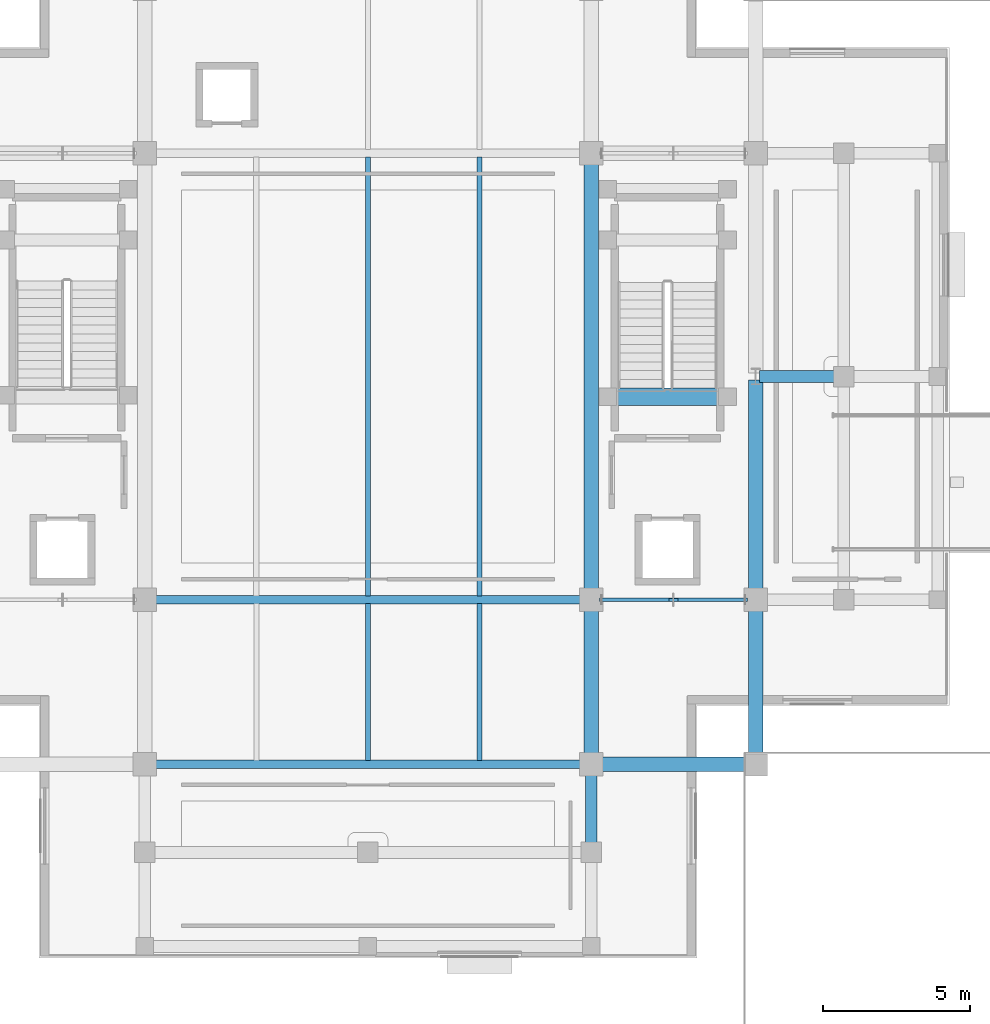
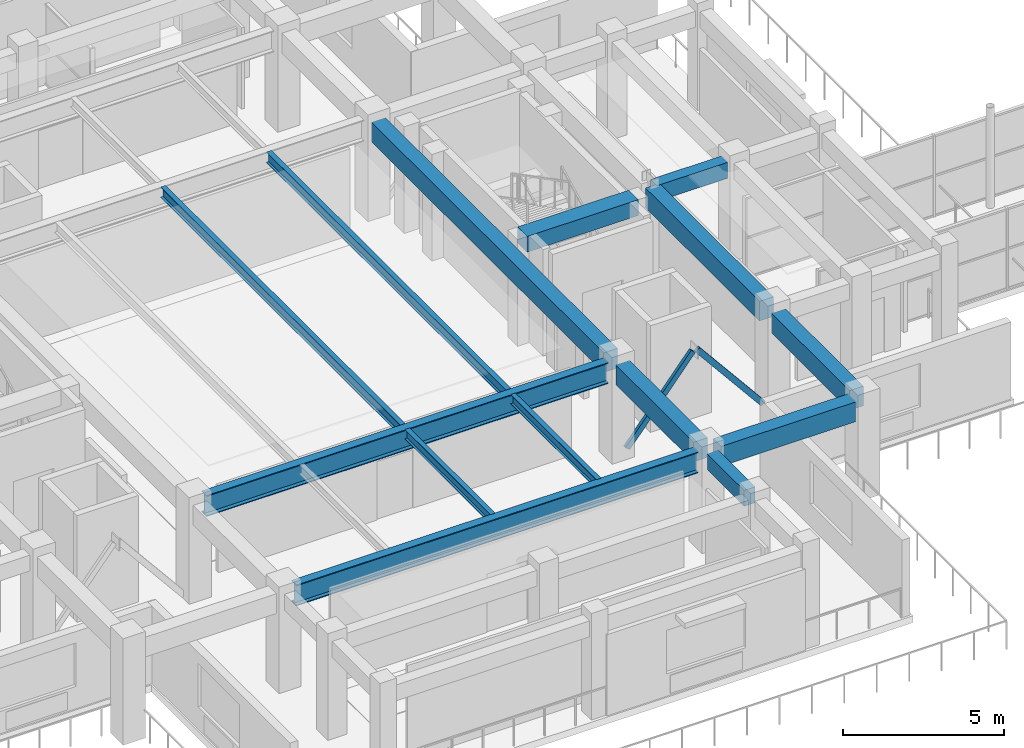
# One storey, part 21 of 72: 14 beams, 2 members.
"""IFC4 building model written with IfcOpenShell, lengths in metres."""

import ifcopenshell
import ifcopenshell.guid

model = None  # the IFC model being written
_history = None  # IfcOwnerHistory: only IFC2X3 demands one
_inside = {}  # id of a spatial element -> (the spatial element, [elements in it])
_under = {}  # id of a project, library or spatial element -> (it, [spatial elements below it])
_declared = {}  # id of a project -> (the project, [libraries it declares])
_typed = {}  # id of a type object -> (the type object, [elements of that type])
_made_of = {}  # id of a material, layer set ... -> (it, [elements and type objects made of it])


def new_model(schema):
    """Start an empty IFC model of exactly this schema.

    Asked for "IFC4X3", IfcOpenShell would pick the latest addendum, in which some entities
    have other attributes; the version numbers below select the first issue.
    IFC2X3 requires an IfcOwnerHistory on every rooted entity: one is made here for all.
    """
    global model, _history
    if schema == "IFC4X3":
        model = ifcopenshell.file(schema_version=(4, 3, 0, 0))
    else:
        model = ifcopenshell.file(schema=schema)
    _inside.clear()
    _under.clear()
    _declared.clear()
    _typed.clear()
    _made_of.clear()
    _history = None
    if model.schema == "IFC2X3":
        org = make("IfcOrganization", Name="unknown")
        user = make(
            "IfcPersonAndOrganization",
            ThePerson=make("IfcPerson", FamilyName="unknown"),
            TheOrganization=org,
        )
        app = make(
            "IfcApplication",
            ApplicationDeveloper=org,
            Version="unknown",
            ApplicationFullName="unknown",
            ApplicationIdentifier="unknown",
        )
        _history = make(
            "IfcOwnerHistory",
            OwningUser=user,
            OwningApplication=app,
            ChangeAction="ADDED",
            CreationDate=0,
        )
    return model


def make(cls, **values):
    """One entity of the class cls with the attributes given. An attribute that is None is left unset."""
    return model.create_entity(
        cls, **{name: value for name, value in values.items() if value is not None}
    )


def rooted(cls, **values):
    """An entity with a GlobalId (a new one), such as an element, a storey or a relation."""
    return make(cls, GlobalId=ifcopenshell.guid.new(), OwnerHistory=_history, **values)


def si_unit(unit_type, name, prefix=None):
    """IfcSIUnit, for example si_unit("LENGTHUNIT", "METRE", prefix="MILLI")."""
    return make("IfcSIUnit", UnitType=unit_type, Prefix=prefix, Name=name)


def assignment(units):
    """IfcUnitAssignment: the units of a project."""
    return None if units is None else make("IfcUnitAssignment", Units=units)


def point(xyz):
    """IfcCartesianPoint."""
    return None if xyz is None else make("IfcCartesianPoint", Coordinates=xyz)


def direction(xyz):
    """IfcDirection."""
    return None if xyz is None else make("IfcDirection", DirectionRatios=xyz)


def frame(location, z_axis=None, x_axis=None):
    """IfcAxis2Placement3D, a coordinate frame: its origin and axes. An axis left out is left unset."""
    return make(
        "IfcAxis2Placement3D",
        Location=point(location),
        Axis=direction(z_axis),
        RefDirection=direction(x_axis),
    )


def frame_2d(location, x_axis=None):
    """IfcAxis2Placement2D, a coordinate frame in the plane: its origin and x axis."""
    return make(
        "IfcAxis2Placement2D", Location=point(location), RefDirection=direction(x_axis)
    )


def origin():
    """The frame at (0, 0, 0) with its axes left unset."""
    return frame((0.0, 0.0, 0.0))


def origin_2d():
    """The frame at (0, 0) in the plane with its x axis left unset."""
    return frame_2d((0.0, 0.0))


def place(relative_to, where):
    """IfcLocalPlacement: puts the frame where relative to a parent placement (None: the world)."""
    return make(
        "IfcLocalPlacement", PlacementRelTo=relative_to, RelativePlacement=where
    )


def context(
    kind, dimensions, precision=None, world=None, true_north=None, identifier=None
):
    """IfcGeometricRepresentationContext, for example the 3D "Model" context."""
    return make(
        "IfcGeometricRepresentationContext",
        ContextIdentifier=identifier,
        ContextType=kind,
        CoordinateSpaceDimension=dimensions,
        Precision=precision,
        WorldCoordinateSystem=world,
        TrueNorth=true_north,
    )


def subcontext(parent, identifier, kind, view, scale=None):
    """IfcGeometricRepresentationSubContext, for example "Body" below "Model"."""
    return make(
        "IfcGeometricRepresentationSubContext",
        ContextIdentifier=identifier,
        ContextType=kind,
        ParentContext=parent,
        TargetScale=scale,
        TargetView=view,
    )


def project(units=None, contexts=None):
    """IfcProject with its units and contexts."""
    return rooted(
        "IfcProject",
        Name="project",
        RepresentationContexts=contexts,
        UnitsInContext=assignment(units),
    )


def spatial(cls, under=None, at=None, **own):
    """A site, building, storey or space (cls), placed at a placement, below another one or the project."""
    s = rooted(cls, ObjectPlacement=at, **own)
    if under is not None:
        _under.setdefault(under.id(), (under, []))[1].append(s)
    return s


def profile(cls, at=None, kind="AREA", **sizes):
    """A parametric profile (cls). Its sizes go by their IFC names, for example OverallWidth=200.0."""
    return make(cls, ProfileType=kind, Position=at, **sizes)


def rectangle(**sizes):
    """IfcRectangleProfileDef."""
    return profile("IfcRectangleProfileDef", **sizes)


def hollow_rectangle(**sizes):
    """IfcRectangleHollowProfileDef."""
    return profile("IfcRectangleHollowProfileDef", **sizes)


def i_section(**sizes):
    """IfcIShapeProfileDef."""
    return profile("IfcIShapeProfileDef", **sizes)


def extrude(swept, where, along, depth):
    """IfcExtrudedAreaSolid: the profile swept, set in the frame where, extruded along a direction by depth."""
    return make(
        "IfcExtrudedAreaSolid",
        SweptArea=swept,
        Position=where,
        ExtrudedDirection=direction(along),
        Depth=depth,
    )


def shape(context_of_items, identifier, shape_type, items):
    """IfcShapeRepresentation: the items that make up one representation, for example the "Body"."""
    return make(
        "IfcShapeRepresentation",
        ContextOfItems=context_of_items,
        RepresentationIdentifier=identifier,
        RepresentationType=shape_type,
        Items=items,
    )


def material(Name=None, Category=None):
    """IfcMaterial."""
    return make("IfcMaterial", Name=Name, Category=Category)


def material_profile(
    of_material, cross_section, Name=None, Category=None, Priority=None
):
    """IfcMaterialProfile: a cross section and its material."""
    return make(
        "IfcMaterialProfile",
        Name=Name,
        Material=of_material,
        Profile=cross_section,
        Priority=Priority,
        Category=Category,
    )


def profile_set(profiles, Name=None, composite=None):
    """IfcMaterialProfileSet."""
    return make(
        "IfcMaterialProfileSet",
        Name=Name,
        MaterialProfiles=profiles,
        CompositeProfile=composite,
    )


def made_of(thing, what):
    """Note that an element or type object is made of a material, layer set ...; save() writes the relation."""
    if what is not None:
        _made_of.setdefault(what.id(), (what, []))[1].append(thing)
    return thing


def type_object(cls, material=None, **own):
    """A type object (cls), such as IfcWallType, which elements share."""
    return made_of(rooted(cls, **own), material)


def element(
    cls,
    number,
    at=None,
    inside=None,
    cuts=None,
    type_object=None,
    material=None,
    context=None,
    identifier="Body",
    shape_type=None,
    held_by="IfcProductDefinitionShape",
    body=None,
    shapes=None,
    **own,
):
    """One element of the class cls, such as IfcWall. Its Tag is "e" and its number.

    at: its placement. inside: the storey or other place that contains it. cuts: it is an
    opening in that element (IfcRelVoidsElement). A single representation is given by context,
    identifier, shape_type and body (its items); several are given by shapes. held_by: the class
    of the entity that holds the representations. save() writes the other relations.
    """
    e = rooted(cls, Tag="e%d" % number, ObjectPlacement=at, **own)
    if body is not None:
        shapes = [shape(context, identifier, shape_type, body)]
    if shapes is not None:
        e.Representation = make(held_by, Representations=shapes)
    if inside is not None:
        _inside.setdefault(inside.id(), (inside, []))[1].append(e)
    if cuts is not None:
        rooted(
            "IfcRelVoidsElement", RelatingBuildingElement=cuts, RelatedOpeningElement=e
        )
    if type_object is not None:
        _typed.setdefault(type_object.id(), (type_object, []))[1].append(e)
    return made_of(e, material)


def aggregate(whole, parts):
    """IfcRelAggregates: a whole, such as a stair, and the parts it consists of."""
    return rooted("IfcRelAggregates", RelatingObject=whole, RelatedObjects=parts)


def save(model, path):
    """Write the relations noted so far, then the file.

    IfcRelAggregates (storeys below a building ...), IfcRelContainedInSpatialStructure (elements
    in a storey), IfcRelDefinesByType, IfcRelAssociatesMaterial and IfcRelDeclares: one each for
    every whole, place, type object, material and project.
    """
    for whole, parts in _under.values():
        aggregate(whole, parts)
    for where, things in _inside.values():
        rooted(
            "IfcRelContainedInSpatialStructure",
            RelatedElements=things,
            RelatingStructure=where,
        )
    for kind, things in _typed.values():
        rooted("IfcRelDefinesByType", RelatedObjects=things, RelatingType=kind)
    for what, things in _made_of.values():
        rooted("IfcRelAssociatesMaterial", RelatedObjects=things, RelatingMaterial=what)
    for by, libraries in _declared.values():
        rooted("IfcRelDeclares", RelatingContext=by, RelatedDefinitions=libraries)
    model.write(path)


model = new_model("IFC4")

# Units and contexts
model_context = context("Model", 3, precision=1e-05, world=origin(), true_north=direction((0.0, 1.0)))
body_context = subcontext(model_context, "Body", "Model", "MODEL_VIEW")
ifc_project = project(units=[si_unit("LENGTHUNIT", "METRE"), si_unit("AREAUNIT", "SQUARE_METRE"), si_unit("VOLUMEUNIT", "CUBIC_METRE"), si_unit("PLANEANGLEUNIT", "RADIAN"), si_unit("MASSUNIT", "GRAM", prefix="KILO")], contexts=[model_context])

# Site, building, storey
site_placement = place(None, origin())
site = spatial("IfcSite", under=ifc_project, at=site_placement, CompositionType="ELEMENT")
building_placement = place(site_placement, origin())
building = spatial("IfcBuilding", under=site, at=building_placement, Name="Saryqyr Civic Hall", CompositionType="ELEMENT")
storey_placement = place(building_placement, frame((0.0, 0.0, 17.25)))
storey = spatial("IfcBuildingStorey", under=building, at=storey_placement, Name="L04", CompositionType="ELEMENT", Elevation=17.25)

# Beams
ifc_material_1 = material(Name="Steel S355", Category="steel")
ifc_material_profile_1 = material_profile(ifc_material_1, i_section(OverallWidth=0.300048828125, OverallDepth=0.800048828125, WebThickness=0.017578125, FlangeThickness=0.032958984375, at=origin_2d()), Name="HEB 800")
ifc_profile_set_1 = profile_set([ifc_material_profile_1], Name="Steel S355")
beam_type_1 = type_object("IfcBeamType", Name="STR-BM-HEB800", PredefinedType="BEAM", material=ifc_profile_set_1)
for number, where, z_axis, x_axis, name in (
    (1, (49.77490234375, 70.800048828125, 3.31005859375), (1.0, 0.0, 0.0), (0.0, 1.0, 0.0), "Beam V1-GBM-EW1-L04"),
    (2, (49.77490234375, 76.39990234375, 3.31005859375), (1.0, 0.0, 0.0), (0.0, 1.0, 0.0), "Beam V1-GBM-EW2-L04"),
):
    element("IfcBeam", number, at=place(storey_placement, frame(where, z_axis=z_axis, x_axis=x_axis)), inside=storey, type_object=beam_type_1, Name=name, PredefinedType="BEAM", context=body_context, shape_type="SweptSolid", body=[
        extrude(i_section(OverallWidth=0.300048828125, OverallDepth=0.800048828125, WebThickness=0.017578125, FlangeThickness=0.032958984375, at=origin_2d()), origin(), (0.0, 0.0, 1.0), 14.4501953125),
    ])
ifc_material_2 = material(Name="Concrete C35/45", Category="concrete")
ifc_material_profile_2 = material_profile(ifc_material_2, rectangle(XDim=0.39990234375, YDim=0.60009765625, at=origin_2d()), Name="RC 400x600")
ifc_profile_set_2 = profile_set([ifc_material_profile_2], Name="Concrete C35/45")
beam_type_2 = type_object("IfcBeamType", Name="STR-BM-RC400x600", PredefinedType="BEAM", material=ifc_profile_set_2)
beam_1_placement = place(storey_placement, frame((70.324951171875, 84.0, 3.409912109375), z_axis=(1.0, 0.0, 0.0), x_axis=(0.0, 1.0, 0.0)))
element("IfcBeam", 3, at=beam_1_placement, inside=storey, type_object=beam_type_2, Name="Beam V1-TBM-05-L04", PredefinedType="BEAM", context=body_context, shape_type="SweptSolid", body=[
    extrude(rectangle(XDim=0.39990234375, YDim=0.60009765625, at=origin_2d()), origin(), (0.0, 0.0, 1.0), 2.550048828125),
])
beam_2_placement = place(storey_placement, frame((64.60009765625, 68.125, 3.409912109375), z_axis=(0.0, 1.0, 0.0), x_axis=(-1.0, 0.0, 0.0)))
element("IfcBeam", 4, at=beam_2_placement, inside=storey, type_object=beam_type_2, Name="Beam V1-TBM-08-L04", PredefinedType="BEAM", context=body_context, shape_type="SweptSolid", body=[
    extrude(rectangle(XDim=0.39990234375, YDim=0.60009765625, at=origin_2d()), origin(), (0.0, 0.0, 1.0), 2.300048828125),
])
ifc_material_3 = material(Name="Concrete C40/50", Category="concrete")
ifc_material_profile_3 = material_profile(ifc_material_3, rectangle(XDim=0.5, YDim=0.75, at=origin_2d()), Name="RC 500x750")
ifc_profile_set_3 = profile_set([ifc_material_profile_3], Name="Concrete C40/50")
beam_type_3 = type_object("IfcBeamType", Name="STR-BM-RC500x750", PredefinedType="BEAM", material=ifc_profile_set_3)
for number, where, z_axis, x_axis, name in (
    (5, (64.97509765625, 70.800048828125, 3.3349609375), (1.0, 0.0, 0.0), (0.0, 1.0, 0.0), "Beam V1-WBM-E1-L04"),
    (6, (64.60009765625, 71.175048828125, 3.3349609375), (0.0, 1.0, 0.0), (-1.0, 0.0, 0.0), "Beam V1-BM-NS31-L04"),
):
    element("IfcBeam", number, at=place(storey_placement, frame(where, z_axis=z_axis, x_axis=x_axis)), inside=storey, type_object=beam_type_3, Name=name, PredefinedType="BEAM", context=body_context, shape_type="SweptSolid", body=[
        extrude(rectangle(XDim=0.5, YDim=0.75, at=origin_2d()), origin(), (0.0, 0.0, 1.0), 4.849853515625),
    ])
beam_3_placement = place(storey_placement, frame((64.60009765625, 76.77490234375, 3.3349609375), z_axis=(0.0, 1.0, 0.0), x_axis=(-1.0, 0.0, 0.0)))
element("IfcBeam", 7, at=beam_3_placement, inside=storey, type_object=beam_type_3, Name="Beam V1-BM-NS32-L04", PredefinedType="BEAM", context=body_context, shape_type="SweptSolid", body=[
    extrude(rectangle(XDim=0.5, YDim=0.75, at=origin_2d()), origin(), (0.0, 0.0, 1.0), 14.4501953125),
])
beam_4_placement = place(storey_placement, frame((70.199951171875, 71.175048828125, 3.3349609375), z_axis=(0.0, 1.0, 0.0), x_axis=(-1.0, 0.0, 0.0)))
element("IfcBeam", 8, at=beam_4_placement, inside=storey, type_object=beam_type_3, Name="Beam V1-BM-NS41-L04", PredefinedType="BEAM", context=body_context, shape_type="SweptSolid", body=[
    extrude(rectangle(XDim=0.5, YDim=0.75, at=origin_2d()), origin(), (0.0, 0.0, 1.0), 4.849853515625),
])
beam_5_placement = place(storey_placement, frame((70.199951171875, 76.77490234375, 3.3349609375), z_axis=(0.0, 1.0, 0.0), x_axis=(-1.0, 0.0, 0.0)))
element("IfcBeam", 9, at=beam_5_placement, inside=storey, type_object=beam_type_3, Name="Beam V1-BM-NS4A-L04", PredefinedType="BEAM", context=body_context, shape_type="SweptSolid", body=[
    extrude(rectangle(XDim=0.5, YDim=0.75, at=origin_2d()), origin(), (0.0, 0.0, 1.0), 7.10009765625),
])
ifc_material_profile_4 = material_profile(ifc_material_3, rectangle(XDim=0.60009765625, YDim=0.60009765625, at=origin_2d()), Name="RC 600x600")
ifc_profile_set_4 = profile_set([ifc_material_profile_4], Name="Concrete C40/50")
beam_type_4 = type_object("IfcBeamType", Name="STR-BM-RC600x600", PredefinedType="BEAM", material=ifc_profile_set_4)
beam_6_placement = place(storey_placement, frame((69.199951171875, 83.31494140625, 3.75), z_axis=(-1.0, 0.0, 0.0), x_axis=(0.0, -1.0, 0.0)))
element("IfcBeam", 10, at=beam_6_placement, inside=storey, type_object=beam_type_4, Name="Stair well trimmer beam ST-2-L05", PredefinedType="BEAM", context=body_context, shape_type="SweptSolid", body=[
    extrude(rectangle(XDim=0.60009765625, YDim=0.60009765625, at=origin_2d()), origin(), (0.0, 0.0, 1.0), 4.0),
])

# Members
ifc_material_profile_5 = material_profile(ifc_material_1, hollow_rectangle(XDim=0.1201171875, YDim=0.199951171875, WallThickness=0.010009765625, at=origin_2d()), Name="RHS 200x120x10")
ifc_profile_set_5 = profile_set([ifc_material_profile_5], Name="Steel S355")
member_type = type_object("IfcMemberType", Name="STR-BR-RHS200", PredefinedType="BRACE", material=ifc_profile_set_5)
for number, where, z_axis, x_axis, name in (
    (11, (64.9599609375, 76.39990234375, 0.1201171875), (0.635175090528, 0.0, 0.772368179286), (0.0, 1.0, 0.0), "Seismic chevron brace 2A L04"),
    (12, (69.840087890625, 76.39990234375, 0.1201171875), (-0.635175090528, 0.0, 0.772368179286), (0.0, -1.0, 0.0), "Seismic chevron brace 2B L04"),
):
    element("IfcMember", number, at=place(storey_placement, frame(where, z_axis=z_axis, x_axis=x_axis)), inside=storey, type_object=member_type, Name=name, PredefinedType="BRACE", context=body_context, shape_type="SweptSolid", body=[
        extrude(hollow_rectangle(XDim=0.1201171875, YDim=0.199951171875, WallThickness=0.010009765625, at=origin_2d()), origin(), (0.0, 0.0, 1.0), 3.715576171875),
    ])

# Beams
ifc_material_profile_6 = material_profile(ifc_material_1, i_section(OverallWidth=0.169921875, OverallDepth=0.360107421875, WebThickness=0.008056640625, FlangeThickness=0.0126953125, at=origin_2d()), Name="IPE 360")
ifc_profile_set_6 = profile_set([ifc_material_profile_6], Name="Steel S355")
beam_type_5 = type_object("IfcBeamType", Name="STR-JST-IPE360", PredefinedType="JOIST", material=ifc_profile_set_6)
for number, where, z_axis, x_axis, name in (
    (13, (57.0, 70.929931640625, 3.530029296875), (0.0, 1.0, 0.0), (-1.0, 0.0, 0.0), "Beam V1-JST-2-1-L04"),
    (14, (60.800048828125, 70.929931640625, 3.530029296875), (0.0, 1.0, 0.0), (-1.0, 0.0, 0.0), "Beam V1-JST-3-1-L04"),
):
    element("IfcBeam", number, at=place(storey_placement, frame(where, z_axis=z_axis, x_axis=x_axis)), inside=storey, type_object=beam_type_5, Name=name, PredefinedType="JOIST", context=body_context, shape_type="SweptSolid", body=[
        extrude(i_section(OverallWidth=0.169921875, OverallDepth=0.360107421875, WebThickness=0.008056640625, FlangeThickness=0.0126953125, at=origin_2d()), origin(), (0.0, 0.0, 1.0), 5.340087890625),
    ])
ifc_material_profile_7 = material_profile(ifc_material_1, i_section(OverallWidth=0.179931640625, OverallDepth=0.39990234375, WebThickness=0.008544921875, FlangeThickness=0.013427734375, at=origin_2d()), Name="IPE 400")
ifc_profile_set_7 = profile_set([ifc_material_profile_7], Name="Steel S355")
beam_type_6 = type_object("IfcBeamType", Name="STR-JST-IPE400", PredefinedType="JOIST", material=ifc_profile_set_7)
for number, where, z_axis, x_axis, name in (
    (15, (57.0, 76.530029296875, 3.510009765625), (0.0, 1.0, 0.0), (-1.0, 0.0, 0.0), "Beam V1-JST-2-2-L04"),
    (16, (60.800048828125, 76.530029296875, 3.510009765625), (0.0, 1.0, 0.0), (-1.0, 0.0, 0.0), "Beam V1-JST-3-2-L04"),
):
    element("IfcBeam", number, at=place(storey_placement, frame(where, z_axis=z_axis, x_axis=x_axis)), inside=storey, type_object=beam_type_6, Name=name, PredefinedType="JOIST", context=body_context, shape_type="SweptSolid", body=[
        extrude(i_section(OverallWidth=0.179931640625, OverallDepth=0.39990234375, WebThickness=0.008544921875, FlangeThickness=0.013427734375, at=origin_2d()), origin(), (0.0, 0.0, 1.0), 14.93994140625),
    ])

save(model, "model.ifc")
